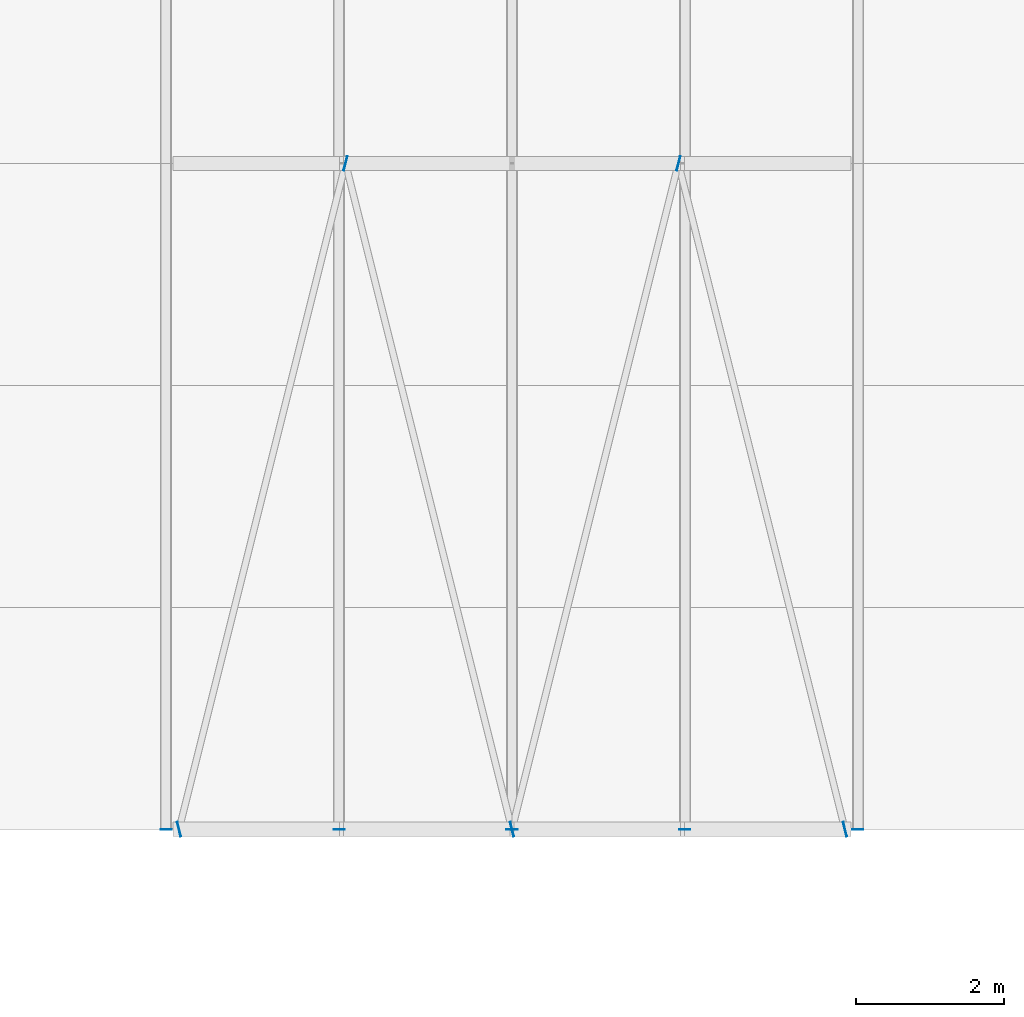
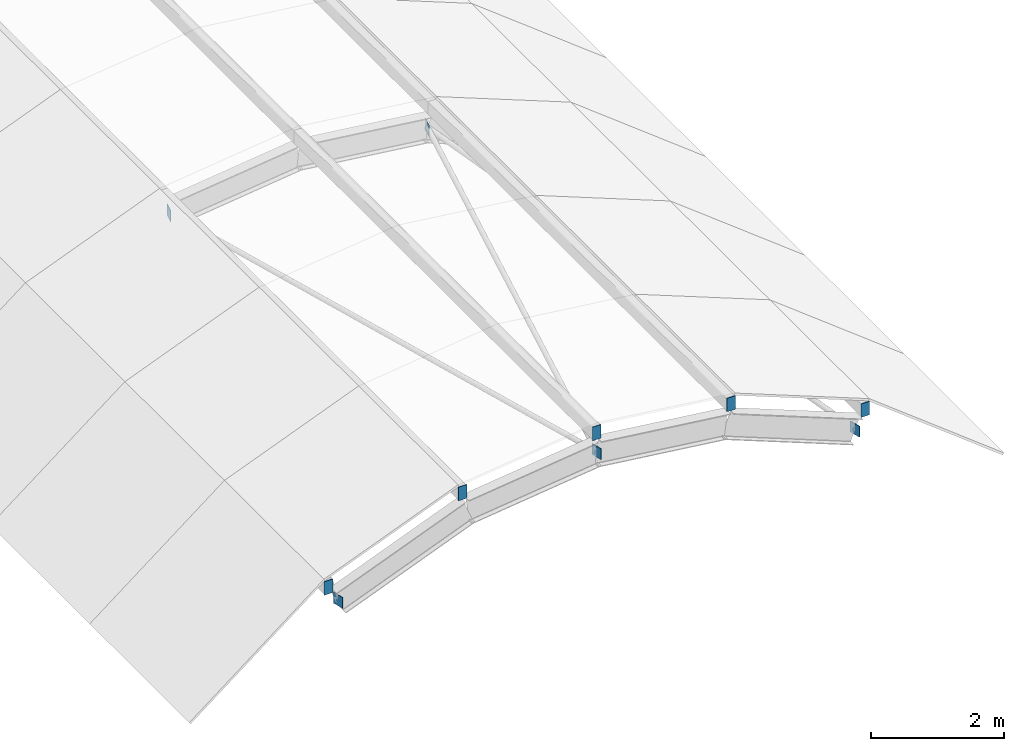
# One storey, part 29 of 33: 10 discrete accessories.
"""IFC4 building model written with IfcOpenShell, lengths in metres."""

from ifc_helpers import new_model, si_unit, direction, frame, origin, origin_2d, place, context, subcontext, project, spatial, rectangle, extrude, material, type_object, element, save


model = new_model("IFC4")

# Units and contexts
model_context = context("Model", 3, precision=1e-05, world=origin(), true_north=direction((0.0, 1.0)))
body_context = subcontext(model_context, "Body", "Model", "MODEL_VIEW")
ifc_project = project(units=[si_unit("LENGTHUNIT", "METRE"), si_unit("AREAUNIT", "SQUARE_METRE"), si_unit("VOLUMEUNIT", "CUBIC_METRE"), si_unit("PLANEANGLEUNIT", "RADIAN"), si_unit("MASSUNIT", "GRAM", prefix="KILO")], contexts=[model_context])

# Site, building, storey
site_placement = place(None, origin())
site = spatial("IfcSite", under=ifc_project, at=site_placement, CompositionType="ELEMENT")
building_placement = place(site_placement, origin())
building = spatial("IfcBuilding", under=site, at=building_placement, Name="Hortulan Conservatory and Botanical Research Centre", CompositionType="ELEMENT")
storey_placement = place(building_placement, frame((0.0, 0.0, 19.199951171875)))
storey = spatial("IfcBuildingStorey", under=building, at=storey_placement, Name="L04", CompositionType="ELEMENT", Elevation=19.199951171875)

# Discrete accessories
ifc_material = material(Name="Steel Grade 300 plate (AS/NZS 3678, 280 MPa minimum yield)", Category="steel")
discrete_accessory_type_1 = type_object("IfcDiscreteAccessoryType", Name="End Plate 200x10", PredefinedType="BRACKET", material=ifc_material)
for number, where, z_axis, x_axis, name in (
    (1, (94.5, 36.0, 0.537109375), (0.0, 0.0, 1.0), (0.242531502591, -0.970143530747, 0.0), "Brace end plate"),
    (2, (96.75, 45.0, 1.42333984375), (0.0, 0.0, 1.0), (0.242531502591, 0.970143530747, 0.0), "Brace end plate"),
    (3, (99.0, 36.0, 1.7001953125), (0.0, 0.0, 1.0), (0.242531502591, -0.970143530747, 0.0), "Brace end plate"),
    (4, (101.25, 45.0, 1.42333984375), (0.0, 0.0, 1.0), (0.242531502591, 0.970143530747, 0.0), "Brace end plate"),
    (5, (103.5, 36.0, 0.537109375), (0.0, 0.0, 1.0), (0.242531502591, -0.970143530747, 0.0), "Brace end plate"),
):
    element("IfcDiscreteAccessory", number, at=place(storey_placement, frame(where, z_axis=z_axis, x_axis=x_axis)), inside=storey, type_object=discrete_accessory_type_1, Name=name, PredefinedType="BRACKET", context=body_context, shape_type="SweptSolid", body=[
        extrude(rectangle(XDim=0.199951171875, YDim=0.010009765625, at=origin_2d()), origin(), (0.0, 0.0, 1.0), 0.199951171875),
    ])
discrete_accessory_type_2 = type_object("IfcDiscreteAccessoryType", Name="End Plate 250x10", PredefinedType="BRACKET", material=ifc_material)
for number, where, z_axis, x_axis, name in (
    (6, (94.3251953125, 35.9951171875, 0.81884765625), (0.0, 0.0, 1.0), (1.0, 0.0, 0.0), "Vault purlin 2 end plate S"),
    (7, (96.6630859375, 35.9951171875, 1.740234375), (0.0, 0.0, 1.0), (1.0, 0.0, 0.0), "Vault purlin 3 end plate S"),
    (8, (99.0, 35.9951171875, 2.02783203125), (0.0, 0.0, 1.0), (1.0, 0.0, 0.0), "Vault purlin 4 end plate S"),
    (9, (101.3369140625, 35.9951171875, 1.740234375), (0.0, 0.0, 1.0), (1.0, 0.0, 0.0), "Vault purlin 5 end plate S"),
    (10, (103.6748046875, 35.9951171875, 0.81884765625), (0.0, 0.0, 1.0), (1.0, 0.0, 0.0), "Vault purlin 6 end plate S"),
):
    element("IfcDiscreteAccessory", number, at=place(storey_placement, frame(where, z_axis=z_axis, x_axis=x_axis)), inside=storey, type_object=discrete_accessory_type_2, Name=name, PredefinedType="BRACKET", context=body_context, shape_type="SweptSolid", body=[
        extrude(rectangle(XDim=0.14990234375, YDim=0.010009765625, at=origin_2d()), origin(), (0.0, 0.0, 1.0), 0.25),
    ])

save(model, "model.ifc")
